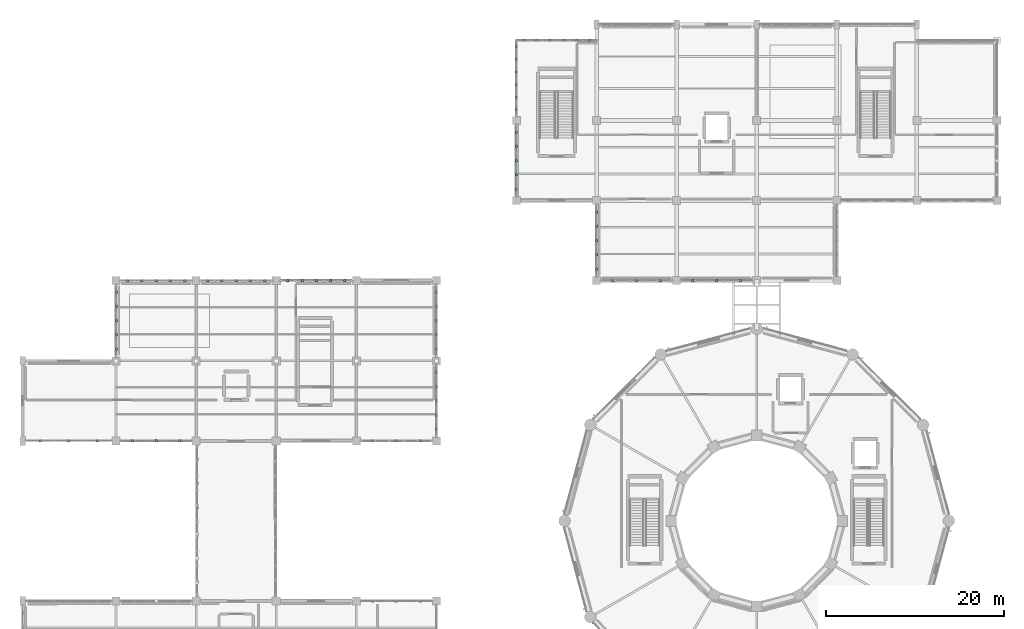
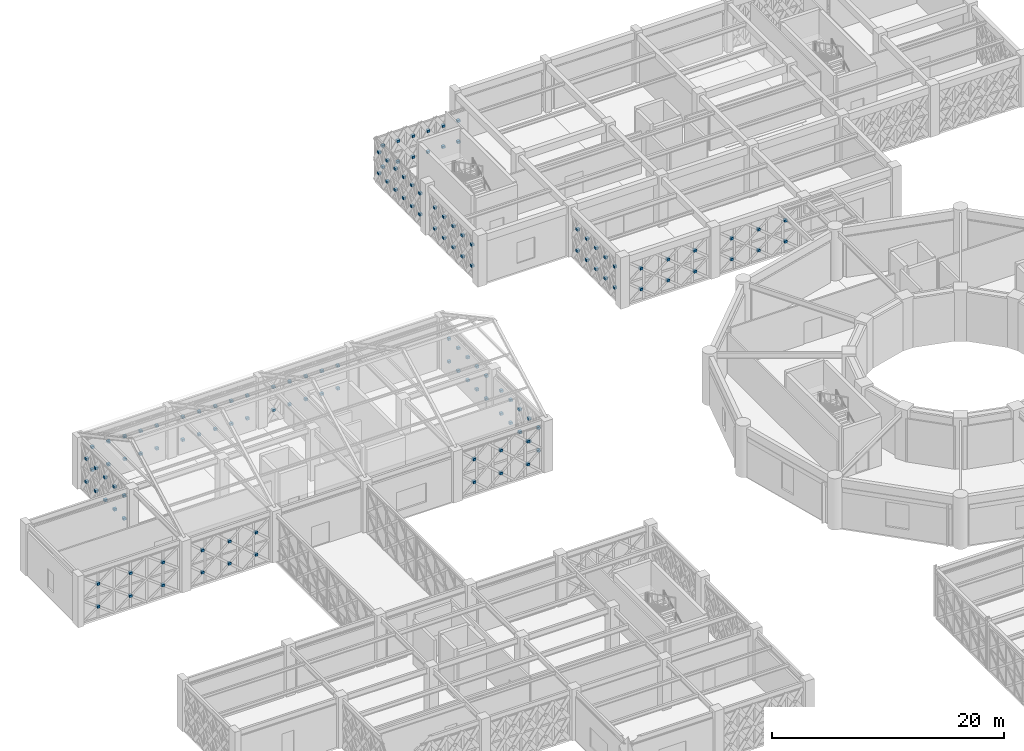
# One storey, part 151 of 166: 134 discrete accessories.
"""IFC4 building model written with IfcOpenShell, lengths in metres."""

from ifc_helpers import new_model, si_unit, direction, frame, origin, origin_2d, place, context, subcontext, project, spatial, rectangle, extrude, material, type_object, element, save


model = new_model("IFC4")

# Units and contexts
model_context = context("Model", 3, precision=1e-05, world=origin(), true_north=direction((0.0, 1.0)))
body_context = subcontext(model_context, "Body", "Model", "MODEL_VIEW")
ifc_project = project(units=[si_unit("LENGTHUNIT", "METRE"), si_unit("AREAUNIT", "SQUARE_METRE"), si_unit("VOLUMEUNIT", "CUBIC_METRE"), si_unit("PLANEANGLEUNIT", "RADIAN"), si_unit("MASSUNIT", "GRAM", prefix="KILO")], contexts=[model_context])

# Site, building, storey
site_placement = place(None, origin())
site = spatial("IfcSite", under=ifc_project, at=site_placement, CompositionType="ELEMENT")
building_placement = place(site_placement, origin())
building = spatial("IfcBuilding", under=site, at=building_placement, Name="Haizhuo Lancet Aquarium", CompositionType="ELEMENT")
storey_placement = place(building_placement, frame((0.0, 0.0, 5.39990234375)))
storey = spatial("IfcBuildingStorey", under=building, at=storey_placement, Name="L01", CompositionType="ELEMENT", Elevation=5.39990234375)

# Discrete accessories
ifc_material = material(Name="Steel S355", Category="steel")
discrete_accessory_type = type_object("IfcDiscreteAccessoryType", Name="ACC-END-CAP", PredefinedType="BRACKET", material=ifc_material)
for number, where, z_axis, x_axis, name in (
    (1, (-72.0, 19.2958984375, 1.080078125), (0.0, 0.0, 1.0), (1.0, 0.0, 0.0), "L01 X-brace crossing gusset plate XN-CW-V2-L01-021-LB01B1"),
    (2, (-72.0, 19.2958984375, 3.47998046875), (0.0, 0.0, 1.0), (1.0, 0.0, 0.0), "L01 X-brace crossing gusset plate XN-CW-V2-L01-021-LB02B1"),
    (3, (-72.0, 20.89794921875, 1.080078125), (0.0, 0.0, 1.0), (1.0, 0.0, 0.0), "L01 X-brace crossing gusset plate XN-CW-V2-L01-021-LB03B1"),
    (4, (-72.0, 20.89794921875, 3.47998046875), (0.0, 0.0, 1.0), (1.0, 0.0, 0.0), "L01 X-brace crossing gusset plate XN-CW-V2-L01-021-LB04B1"),
    (5, (-72.0, 22.5, 1.080078125), (0.0, 0.0, 1.0), (1.0, 0.0, 0.0), "L01 X-brace crossing gusset plate XN-CW-V2-L01-021-LB05B1"),
    (6, (-72.0, 22.5, 3.47998046875), (0.0, 0.0, 1.0), (1.0, 0.0, 0.0), "L01 X-brace crossing gusset plate XN-CW-V2-L01-021-LB06B1"),
    (7, (-72.0, 24.10205078125, 1.080078125), (0.0, 0.0, 1.0), (1.0, 0.0, 0.0), "L01 X-brace crossing gusset plate XN-CW-V2-L01-021-LB07B1"),
    (8, (-72.0, 24.10205078125, 3.47998046875), (0.0, 0.0, 1.0), (1.0, 0.0, 0.0), "L01 X-brace crossing gusset plate XN-CW-V2-L01-021-LB08B1"),
    (9, (-72.0, 25.7041015625, 1.080078125), (0.0, 0.0, 1.0), (1.0, 0.0, 0.0), "L01 X-brace crossing gusset plate XN-CW-V2-L01-021-LB09B1"),
    (10, (-72.0, 25.7041015625, 3.47998046875), (0.0, 0.0, 1.0), (1.0, 0.0, 0.0), "L01 X-brace crossing gusset plate XN-CW-V2-L01-021-LB10B1"),
    (11, (-70.7041015625, 27.0, 1.080078125), (0.0, 0.0, 1.0), (1.0, 0.0, 0.0), "L01 X-brace crossing gusset plate XN-CW-V2-L01-022-LB01B1"),
    (12, (-70.7041015625, 27.0, 3.47998046875), (0.0, 0.0, 1.0), (1.0, 0.0, 0.0), "L01 X-brace crossing gusset plate XN-CW-V2-L01-022-LB02B1"),
    (13, (-69.10205078125, 27.0, 1.080078125), (0.0, 0.0, 1.0), (1.0, 0.0, 0.0), "L01 X-brace crossing gusset plate XN-CW-V2-L01-022-LB03B1"),
    (14, (-69.10205078125, 27.0, 3.47998046875), (0.0, 0.0, 1.0), (1.0, 0.0, 0.0), "L01 X-brace crossing gusset plate XN-CW-V2-L01-022-LB04B1"),
    (15, (-67.5, 27.0, 1.080078125), (0.0, 0.0, 1.0), (1.0, 0.0, 0.0), "L01 X-brace crossing gusset plate XN-CW-V2-L01-022-LB05B1"),
    (16, (-67.5, 27.0, 3.47998046875), (0.0, 0.0, 1.0), (1.0, 0.0, 0.0), "L01 X-brace crossing gusset plate XN-CW-V2-L01-022-LB06B1"),
    (17, (-65.89794921875, 27.0, 1.080078125), (0.0, 0.0, 1.0), (1.0, 0.0, 0.0), "L01 X-brace crossing gusset plate XN-CW-V2-L01-022-LB07B1"),
    (18, (-65.89794921875, 27.0, 3.47998046875), (0.0, 0.0, 1.0), (1.0, 0.0, 0.0), "L01 X-brace crossing gusset plate XN-CW-V2-L01-022-LB08B1"),
    (19, (-64.2958984375, 27.0, 1.080078125), (0.0, 0.0, 1.0), (1.0, 0.0, 0.0), "L01 X-brace crossing gusset plate XN-CW-V2-L01-022-LB09B1"),
    (20, (-64.2958984375, 27.0, 3.47998046875), (0.0, 0.0, 1.0), (1.0, 0.0, 0.0), "L01 X-brace crossing gusset plate XN-CW-V2-L01-022-LB10B1"),
    (21, (-61.7041015625, 27.0, 1.080078125), (0.0, 0.0, 1.0), (1.0, 0.0, 0.0), "L01 X-brace crossing gusset plate XN-CW-V2-L01-023-LB01B1"),
    (22, (-61.7041015625, 27.0, 3.47998046875), (0.0, 0.0, 1.0), (1.0, 0.0, 0.0), "L01 X-brace crossing gusset plate XN-CW-V2-L01-023-LB02B1"),
    (23, (-60.10205078125, 27.0, 1.080078125), (0.0, 0.0, 1.0), (1.0, 0.0, 0.0), "L01 X-brace crossing gusset plate XN-CW-V2-L01-023-LB03B1"),
    (24, (-60.10205078125, 27.0, 3.47998046875), (0.0, 0.0, 1.0), (1.0, 0.0, 0.0), "L01 X-brace crossing gusset plate XN-CW-V2-L01-023-LB04B1"),
    (25, (-58.5, 27.0, 1.080078125), (0.0, 0.0, 1.0), (1.0, 0.0, 0.0), "L01 X-brace crossing gusset plate XN-CW-V2-L01-023-LB05B1"),
    (26, (-58.5, 27.0, 3.47998046875), (0.0, 0.0, 1.0), (1.0, 0.0, 0.0), "L01 X-brace crossing gusset plate XN-CW-V2-L01-023-LB06B1"),
    (27, (-56.89794921875, 27.0, 1.080078125), (0.0, 0.0, 1.0), (1.0, 0.0, 0.0), "L01 X-brace crossing gusset plate XN-CW-V2-L01-023-LB07B1"),
    (28, (-56.89794921875, 27.0, 3.47998046875), (0.0, 0.0, 1.0), (1.0, 0.0, 0.0), "L01 X-brace crossing gusset plate XN-CW-V2-L01-023-LB08B1"),
    (29, (-55.2958984375, 27.0, 1.080078125), (0.0, 0.0, 1.0), (1.0, 0.0, 0.0), "L01 X-brace crossing gusset plate XN-CW-V2-L01-023-LB09B1"),
    (30, (-55.2958984375, 27.0, 3.47998046875), (0.0, 0.0, 1.0), (1.0, 0.0, 0.0), "L01 X-brace crossing gusset plate XN-CW-V2-L01-023-LB10B1"),
    (31, (-52.7041015625, 27.0, 1.080078125), (0.0, 0.0, 1.0), (1.0, 0.0, 0.0), "L01 X-brace crossing gusset plate XN-CW-V2-L01-024-LB01B1"),
    (32, (-52.7041015625, 27.0, 3.47998046875), (0.0, 0.0, 1.0), (1.0, 0.0, 0.0), "L01 X-brace crossing gusset plate XN-CW-V2-L01-024-LB02B1"),
    (33, (-51.10205078125, 27.0, 1.080078125), (0.0, 0.0, 1.0), (1.0, 0.0, 0.0), "L01 X-brace crossing gusset plate XN-CW-V2-L01-024-LB03B1"),
    (34, (-51.10205078125, 27.0, 3.47998046875), (0.0, 0.0, 1.0), (1.0, 0.0, 0.0), "L01 X-brace crossing gusset plate XN-CW-V2-L01-024-LB04B1"),
    (35, (-49.5, 27.0, 1.080078125), (0.0, 0.0, 1.0), (1.0, 0.0, 0.0), "L01 X-brace crossing gusset plate XN-CW-V2-L01-024-LB05B1"),
    (36, (-49.5, 27.0, 3.47998046875), (0.0, 0.0, 1.0), (1.0, 0.0, 0.0), "L01 X-brace crossing gusset plate XN-CW-V2-L01-024-LB06B1"),
    (37, (-47.89794921875, 27.0, 1.080078125), (0.0, 0.0, 1.0), (1.0, 0.0, 0.0), "L01 X-brace crossing gusset plate XN-CW-V2-L01-024-LB07B1"),
    (38, (-47.89794921875, 27.0, 3.47998046875), (0.0, 0.0, 1.0), (1.0, 0.0, 0.0), "L01 X-brace crossing gusset plate XN-CW-V2-L01-024-LB08B1"),
    (39, (-46.2958984375, 27.0, 1.080078125), (0.0, 0.0, 1.0), (1.0, 0.0, 0.0), "L01 X-brace crossing gusset plate XN-CW-V2-L01-024-LB09B1"),
    (40, (-46.2958984375, 27.0, 3.47998046875), (0.0, 0.0, 1.0), (1.0, 0.0, 0.0), "L01 X-brace crossing gusset plate XN-CW-V2-L01-024-LB10B1"),
    (41, (-36.0, 25.7041015625, 1.080078125), (0.0, 0.0, 1.0), (1.0, 0.0, 0.0), "L01 X-brace crossing gusset plate XN-CW-V2-L01-025-LB01B1"),
    (42, (-36.0, 25.7041015625, 3.47998046875), (0.0, 0.0, 1.0), (1.0, 0.0, 0.0), "L01 X-brace crossing gusset plate XN-CW-V2-L01-025-LB02B1"),
    (43, (-36.0, 24.10205078125, 1.080078125), (0.0, 0.0, 1.0), (1.0, 0.0, 0.0), "L01 X-brace crossing gusset plate XN-CW-V2-L01-025-LB03B1"),
    (44, (-36.0, 24.10205078125, 3.47998046875), (0.0, 0.0, 1.0), (1.0, 0.0, 0.0), "L01 X-brace crossing gusset plate XN-CW-V2-L01-025-LB04B1"),
    (45, (-36.0, 22.5, 1.080078125), (0.0, 0.0, 1.0), (1.0, 0.0, 0.0), "L01 X-brace crossing gusset plate XN-CW-V2-L01-025-LB05B1"),
    (46, (-36.0, 22.5, 3.47998046875), (0.0, 0.0, 1.0), (1.0, 0.0, 0.0), "L01 X-brace crossing gusset plate XN-CW-V2-L01-025-LB06B1"),
    (47, (-36.0, 20.89794921875, 1.080078125), (0.0, 0.0, 1.0), (1.0, 0.0, 0.0), "L01 X-brace crossing gusset plate XN-CW-V2-L01-025-LB07B1"),
    (48, (-36.0, 20.89794921875, 3.47998046875), (0.0, 0.0, 1.0), (1.0, 0.0, 0.0), "L01 X-brace crossing gusset plate XN-CW-V2-L01-025-LB08B1"),
    (49, (-36.0, 19.2958984375, 1.080078125), (0.0, 0.0, 1.0), (1.0, 0.0, 0.0), "L01 X-brace crossing gusset plate XN-CW-V2-L01-025-LB09B1"),
    (50, (-36.0, 19.2958984375, 3.47998046875), (0.0, 0.0, 1.0), (1.0, 0.0, 0.0), "L01 X-brace crossing gusset plate XN-CW-V2-L01-025-LB10B1"),
    (51, (-36.0, 16.7041015625, 1.080078125), (0.0, 0.0, 1.0), (1.0, 0.0, 0.0), "L01 X-brace crossing gusset plate XN-CW-V2-L01-026-LB01B1"),
    (52, (-36.0, 16.7041015625, 3.47998046875), (0.0, 0.0, 1.0), (1.0, 0.0, 0.0), "L01 X-brace crossing gusset plate XN-CW-V2-L01-026-LB02B1"),
    (53, (-36.0, 15.10205078125, 1.080078125), (0.0, 0.0, 1.0), (1.0, 0.0, 0.0), "L01 X-brace crossing gusset plate XN-CW-V2-L01-026-LB03B1"),
    (54, (-36.0, 15.10205078125, 3.47998046875), (0.0, 0.0, 1.0), (1.0, 0.0, 0.0), "L01 X-brace crossing gusset plate XN-CW-V2-L01-026-LB04B1"),
    (55, (-36.0, 13.5, 1.080078125), (0.0, 0.0, 1.0), (1.0, 0.0, 0.0), "L01 X-brace crossing gusset plate XN-CW-V2-L01-026-LB05B1"),
    (56, (-36.0, 13.5, 3.47998046875), (0.0, 0.0, 1.0), (1.0, 0.0, 0.0), "L01 X-brace crossing gusset plate XN-CW-V2-L01-026-LB06B1"),
    (57, (-36.0, 11.89794921875, 1.080078125), (0.0, 0.0, 1.0), (1.0, 0.0, 0.0), "L01 X-brace crossing gusset plate XN-CW-V2-L01-026-LB07B1"),
    (58, (-36.0, 11.89794921875, 3.47998046875), (0.0, 0.0, 1.0), (1.0, 0.0, 0.0), "L01 X-brace crossing gusset plate XN-CW-V2-L01-026-LB08B1"),
    (59, (-36.0, 10.2958984375, 1.080078125), (0.0, 0.0, 1.0), (1.0, 0.0, 0.0), "L01 X-brace crossing gusset plate XN-CW-V2-L01-026-LB09B1"),
    (60, (-36.0, 10.2958984375, 3.47998046875), (0.0, 0.0, 1.0), (1.0, 0.0, 0.0), "L01 X-brace crossing gusset plate XN-CW-V2-L01-026-LB10B1"),
    (61, (-37.830078125, 9.0, 1.080078125), (0.0, 0.0, 1.0), (1.0, 0.0, 0.0), "L01 X-brace crossing gusset plate XN-CW-V2-L01-027-LB01B1"),
    (62, (-37.830078125, 9.0, 3.47998046875), (0.0, 0.0, 1.0), (1.0, 0.0, 0.0), "L01 X-brace crossing gusset plate XN-CW-V2-L01-027-LB02B1"),
    (63, (-40.5, 9.0, 1.080078125), (0.0, 0.0, 1.0), (1.0, 0.0, 0.0), "L01 X-brace crossing gusset plate XN-CW-V2-L01-027-LB03B1"),
    (64, (-40.5, 9.0, 3.47998046875), (0.0, 0.0, 1.0), (1.0, 0.0, 0.0), "L01 X-brace crossing gusset plate XN-CW-V2-L01-027-LB04B1"),
    (65, (-43.169921875, 9.0, 1.080078125), (0.0, 0.0, 1.0), (1.0, 0.0, 0.0), "L01 X-brace crossing gusset plate XN-CW-V2-L01-027-LB05B1"),
    (66, (-43.169921875, 9.0, 3.47998046875), (0.0, 0.0, 1.0), (1.0, 0.0, 0.0), "L01 X-brace crossing gusset plate XN-CW-V2-L01-027-LB06B1"),
    (67, (-64.830078125, 9.0, 1.0419921875), (0.0, 0.0, 1.0), (1.0, 0.0, 0.0), "L01 X-brace crossing gusset plate XN-CW-V2-L01-028-LB01B1"),
    (68, (-64.830078125, 9.0, 3.3671875), (0.0, 0.0, 1.0), (1.0, 0.0, 0.0), "L01 X-brace crossing gusset plate XN-CW-V2-L01-028-LB02B1"),
    (69, (-67.5, 9.0, 1.0419921875), (0.0, 0.0, 1.0), (1.0, 0.0, 0.0), "L01 X-brace crossing gusset plate XN-CW-V2-L01-028-LB03B1"),
    (70, (-67.5, 9.0, 3.3671875), (0.0, 0.0, 1.0), (1.0, 0.0, 0.0), "L01 X-brace crossing gusset plate XN-CW-V2-L01-028-LB04B1"),
    (71, (-70.169921875, 9.0, 1.0419921875), (0.0, 0.0, 1.0), (1.0, 0.0, 0.0), "L01 X-brace crossing gusset plate XN-CW-V2-L01-028-LB05B1"),
    (72, (-70.169921875, 9.0, 3.3671875), (0.0, 0.0, 1.0), (1.0, 0.0, 0.0), "L01 X-brace crossing gusset plate XN-CW-V2-L01-028-LB06B1"),
    (73, (-74.10498046875, 9.0, 1.080078125), (0.0, 0.0, 1.0), (1.0, 0.0, 0.0), "L01 X-brace crossing gusset plate XN-CW-V2-L01-029-LB01B1"),
    (74, (-74.10498046875, 9.0, 3.47998046875), (0.0, 0.0, 1.0), (1.0, 0.0, 0.0), "L01 X-brace crossing gusset plate XN-CW-V2-L01-029-LB02B1"),
    (75, (-77.324951171875, 9.0, 1.080078125), (0.0, 0.0, 1.0), (1.0, 0.0, 0.0), "L01 X-brace crossing gusset plate XN-CW-V2-L01-029-LB03B1"),
    (76, (-77.324951171875, 9.0, 3.47998046875), (0.0, 0.0, 1.0), (1.0, 0.0, 0.0), "L01 X-brace crossing gusset plate XN-CW-V2-L01-029-LB04B1"),
    (77, (-80.544921875, 9.0, 1.080078125), (0.0, 0.0, 1.0), (1.0, 0.0, 0.0), "L01 X-brace crossing gusset plate XN-CW-V2-L01-029-LB05B1"),
    (78, (-80.544921875, 9.0, 3.47998046875), (0.0, 0.0, 1.0), (1.0, 0.0, 0.0), "L01 X-brace crossing gusset plate XN-CW-V2-L01-029-LB06B1"),
    (79, (-27.0, 37.2958984375, 0.990234375), (0.0, 0.0, 1.0), (1.0, 0.0, 0.0), "L01 X-brace crossing gusset plate XN-CW-V5-L01-128-LB01B1"),
    (80, (-27.0, 37.2958984375, 3.2099609375), (0.0, 0.0, 1.0), (1.0, 0.0, 0.0), "L01 X-brace crossing gusset plate XN-CW-V5-L01-128-LB02B1"),
    (81, (-27.0, 38.89794921875, 0.990234375), (0.0, 0.0, 1.0), (1.0, 0.0, 0.0), "L01 X-brace crossing gusset plate XN-CW-V5-L01-128-LB03B1"),
    (82, (-27.0, 38.89794921875, 3.2099609375), (0.0, 0.0, 1.0), (1.0, 0.0, 0.0), "L01 X-brace crossing gusset plate XN-CW-V5-L01-128-LB04B1"),
    (83, (-27.0, 40.5, 0.990234375), (0.0, 0.0, 1.0), (1.0, 0.0, 0.0), "L01 X-brace crossing gusset plate XN-CW-V5-L01-128-LB05B1"),
    (84, (-27.0, 40.5, 3.2099609375), (0.0, 0.0, 1.0), (1.0, 0.0, 0.0), "L01 X-brace crossing gusset plate XN-CW-V5-L01-128-LB06B1"),
    (85, (-27.0, 42.10205078125, 0.990234375), (0.0, 0.0, 1.0), (1.0, 0.0, 0.0), "L01 X-brace crossing gusset plate XN-CW-V5-L01-128-LB07B1"),
    (86, (-27.0, 42.10205078125, 3.2099609375), (0.0, 0.0, 1.0), (1.0, 0.0, 0.0), "L01 X-brace crossing gusset plate XN-CW-V5-L01-128-LB08B1"),
    (87, (-27.0, 43.7041015625, 0.990234375), (0.0, 0.0, 1.0), (1.0, 0.0, 0.0), "L01 X-brace crossing gusset plate XN-CW-V5-L01-128-LB09B1"),
    (88, (-27.0, 43.7041015625, 3.2099609375), (0.0, 0.0, 1.0), (1.0, 0.0, 0.0), "L01 X-brace crossing gusset plate XN-CW-V5-L01-128-LB10B1"),
    (89, (-27.0, 46.202880859375, 0.986328125), (0.0, 0.0, 1.0), (1.0, 0.0, 0.0), "L01 X-brace crossing gusset plate XN-CW-V5-L01-129-LB01B1"),
    (90, (-27.0, 46.202880859375, 3.1982421875), (0.0, 0.0, 1.0), (1.0, 0.0, 0.0), "L01 X-brace crossing gusset plate XN-CW-V5-L01-129-LB02B1"),
    (91, (-27.0, 47.62109375, 0.986328125), (0.0, 0.0, 1.0), (1.0, 0.0, 0.0), "L01 X-brace crossing gusset plate XN-CW-V5-L01-129-LB03B1"),
    (92, (-27.0, 47.62109375, 3.1982421875), (0.0, 0.0, 1.0), (1.0, 0.0, 0.0), "L01 X-brace crossing gusset plate XN-CW-V5-L01-129-LB04B1"),
    (93, (-27.0, 49.0390625, 0.986328125), (0.0, 0.0, 1.0), (1.0, 0.0, 0.0), "L01 X-brace crossing gusset plate XN-CW-V5-L01-129-LB05B1"),
    (94, (-27.0, 49.0390625, 3.1982421875), (0.0, 0.0, 1.0), (1.0, 0.0, 0.0), "L01 X-brace crossing gusset plate XN-CW-V5-L01-129-LB06B1"),
    (95, (-27.0, 50.4560546875, 0.986328125), (0.0, 0.0, 1.0), (1.0, 0.0, 0.0), "L01 X-brace crossing gusset plate XN-CW-V5-L01-129-LB07B1"),
    (96, (-27.0, 50.4560546875, 3.1982421875), (0.0, 0.0, 1.0), (1.0, 0.0, 0.0), "L01 X-brace crossing gusset plate XN-CW-V5-L01-129-LB08B1"),
    (97, (-27.0, 51.8740234375, 0.986328125), (0.0, 0.0, 1.0), (1.0, 0.0, 0.0), "L01 X-brace crossing gusset plate XN-CW-V5-L01-129-LB09B1"),
    (98, (-27.0, 51.8740234375, 3.1982421875), (0.0, 0.0, 1.0), (1.0, 0.0, 0.0), "L01 X-brace crossing gusset plate XN-CW-V5-L01-129-LB10B1"),
    (99, (-27.0, 53.291015625, 0.986328125), (0.0, 0.0, 1.0), (1.0, 0.0, 0.0), "L01 X-brace crossing gusset plate XN-CW-V5-L01-129-LB11B1"),
    (100, (-27.0, 53.291015625, 3.1982421875), (0.0, 0.0, 1.0), (1.0, 0.0, 0.0), "L01 X-brace crossing gusset plate XN-CW-V5-L01-129-LB12B1"),
    (101, (-26.25, 54.0, 0.986328125), (0.0, 0.0, 1.0), (1.0, 0.0, 0.0), "L01 X-brace crossing gusset plate XN-CW-V5-L01-130-LB01B1"),
    (102, (-26.25, 54.0, 3.1982421875), (0.0, 0.0, 1.0), (1.0, 0.0, 0.0), "L01 X-brace crossing gusset plate XN-CW-V5-L01-130-LB02B1"),
    (103, (-24.75, 54.0, 0.986328125), (0.0, 0.0, 1.0), (1.0, 0.0, 0.0), "L01 X-brace crossing gusset plate XN-CW-V5-L01-130-LB03B1"),
    (104, (-24.75, 54.0, 3.1982421875), (0.0, 0.0, 1.0), (1.0, 0.0, 0.0), "L01 X-brace crossing gusset plate XN-CW-V5-L01-130-LB04B1"),
    (105, (-23.25, 54.0, 0.986328125), (0.0, 0.0, 1.0), (1.0, 0.0, 0.0), "L01 X-brace crossing gusset plate XN-CW-V5-L01-130-LB05B1"),
    (106, (-23.25, 54.0, 3.1982421875), (0.0, 0.0, 1.0), (1.0, 0.0, 0.0), "L01 X-brace crossing gusset plate XN-CW-V5-L01-130-LB06B1"),
    (107, (-21.75, 54.0, 0.986328125), (0.0, 0.0, 1.0), (1.0, 0.0, 0.0), "L01 X-brace crossing gusset plate XN-CW-V5-L01-130-LB07B1"),
    (108, (-21.75, 54.0, 3.1982421875), (0.0, 0.0, 1.0), (1.0, 0.0, 0.0), "L01 X-brace crossing gusset plate XN-CW-V5-L01-130-LB08B1"),
    (109, (-20.25, 54.0, 0.986328125), (0.0, 0.0, 1.0), (1.0, 0.0, 0.0), "L01 X-brace crossing gusset plate XN-CW-V5-L01-130-LB09B1"),
    (110, (-20.25, 54.0, 3.1982421875), (0.0, 0.0, 1.0), (1.0, 0.0, 0.0), "L01 X-brace crossing gusset plate XN-CW-V5-L01-130-LB10B1"),
    (111, (-18.75, 54.0, 0.986328125), (0.0, 0.0, 1.0), (1.0, 0.0, 0.0), "L01 X-brace crossing gusset plate XN-CW-V5-L01-130-LB11B1"),
    (112, (-18.75, 54.0, 3.1982421875), (0.0, 0.0, 1.0), (1.0, 0.0, 0.0), "L01 X-brace crossing gusset plate XN-CW-V5-L01-130-LB12B1"),
    (113, (-1.830078125, 27.0, 0.97802734375), (0.0, 0.0, 1.0), (1.0, 0.0, 0.0), "L01 X-brace crossing gusset plate XN-CW-V5-L01-140-LB01B1"),
    (114, (-1.830078125, 27.0, 3.171875), (0.0, 0.0, 1.0), (1.0, 0.0, 0.0), "L01 X-brace crossing gusset plate XN-CW-V5-L01-140-LB02B1"),
    (115, (-4.5, 27.0, 0.97802734375), (0.0, 0.0, 1.0), (1.0, 0.0, 0.0), "L01 X-brace crossing gusset plate XN-CW-V5-L01-140-LB03B1"),
    (116, (-4.5, 27.0, 3.171875), (0.0, 0.0, 1.0), (1.0, 0.0, 0.0), "L01 X-brace crossing gusset plate XN-CW-V5-L01-140-LB04B1"),
    (117, (-7.169921875, 27.0, 0.97802734375), (0.0, 0.0, 1.0), (1.0, 0.0, 0.0), "L01 X-brace crossing gusset plate XN-CW-V5-L01-140-LB05B1"),
    (118, (-7.169921875, 27.0, 3.171875), (0.0, 0.0, 1.0), (1.0, 0.0, 0.0), "L01 X-brace crossing gusset plate XN-CW-V5-L01-140-LB06B1"),
    (119, (-10.830078125, 27.0, 0.97802734375), (0.0, 0.0, 1.0), (1.0, 0.0, 0.0), "L01 X-brace crossing gusset plate XN-CW-V5-L01-141-LB01B1"),
    (120, (-10.830078125, 27.0, 3.171875), (0.0, 0.0, 1.0), (1.0, 0.0, 0.0), "L01 X-brace crossing gusset plate XN-CW-V5-L01-141-LB02B1"),
    (121, (-13.5, 27.0, 0.97802734375), (0.0, 0.0, 1.0), (1.0, 0.0, 0.0), "L01 X-brace crossing gusset plate XN-CW-V5-L01-141-LB03B1"),
    (122, (-13.5, 27.0, 3.171875), (0.0, 0.0, 1.0), (1.0, 0.0, 0.0), "L01 X-brace crossing gusset plate XN-CW-V5-L01-141-LB04B1"),
    (123, (-16.169921875, 27.0, 0.97802734375), (0.0, 0.0, 1.0), (1.0, 0.0, 0.0), "L01 X-brace crossing gusset plate XN-CW-V5-L01-141-LB05B1"),
    (124, (-16.169921875, 27.0, 3.171875), (0.0, 0.0, 1.0), (1.0, 0.0, 0.0), "L01 X-brace crossing gusset plate XN-CW-V5-L01-141-LB06B1"),
    (125, (-18.0, 28.2958984375, 0.990234375), (0.0, 0.0, 1.0), (1.0, 0.0, 0.0), "L01 X-brace crossing gusset plate XN-CW-V5-L01-142-LB01B1"),
    (126, (-18.0, 28.2958984375, 3.2099609375), (0.0, 0.0, 1.0), (1.0, 0.0, 0.0), "L01 X-brace crossing gusset plate XN-CW-V5-L01-142-LB02B1"),
    (127, (-18.0, 29.89794921875, 0.990234375), (0.0, 0.0, 1.0), (1.0, 0.0, 0.0), "L01 X-brace crossing gusset plate XN-CW-V5-L01-142-LB03B1"),
    (128, (-18.0, 29.89794921875, 3.2099609375), (0.0, 0.0, 1.0), (1.0, 0.0, 0.0), "L01 X-brace crossing gusset plate XN-CW-V5-L01-142-LB04B1"),
    (129, (-18.0, 31.5, 0.990234375), (0.0, 0.0, 1.0), (1.0, 0.0, 0.0), "L01 X-brace crossing gusset plate XN-CW-V5-L01-142-LB05B1"),
    (130, (-18.0, 31.5, 3.2099609375), (0.0, 0.0, 1.0), (1.0, 0.0, 0.0), "L01 X-brace crossing gusset plate XN-CW-V5-L01-142-LB06B1"),
    (131, (-18.0, 33.10205078125, 0.990234375), (0.0, 0.0, 1.0), (1.0, 0.0, 0.0), "L01 X-brace crossing gusset plate XN-CW-V5-L01-142-LB07B1"),
    (132, (-18.0, 33.10205078125, 3.2099609375), (0.0, 0.0, 1.0), (1.0, 0.0, 0.0), "L01 X-brace crossing gusset plate XN-CW-V5-L01-142-LB08B1"),
    (133, (-18.0, 34.7041015625, 0.990234375), (0.0, 0.0, 1.0), (1.0, 0.0, 0.0), "L01 X-brace crossing gusset plate XN-CW-V5-L01-142-LB09B1"),
    (134, (-18.0, 34.7041015625, 3.2099609375), (0.0, 0.0, 1.0), (1.0, 0.0, 0.0), "L01 X-brace crossing gusset plate XN-CW-V5-L01-142-LB10B1"),
):
    element("IfcDiscreteAccessory", number, at=place(storey_placement, frame(where, z_axis=z_axis, x_axis=x_axis)), inside=storey, type_object=discrete_accessory_type, material=ifc_material, Name=name, PredefinedType="BRACKET", context=body_context, shape_type="SweptSolid", body=[
        extrude(rectangle(XDim=0.280029296875, YDim=0.280029296875, at=origin_2d()), origin(), (0.0, 0.0, 1.0), 0.239990234375),
    ])

save(model, "model.ifc")
